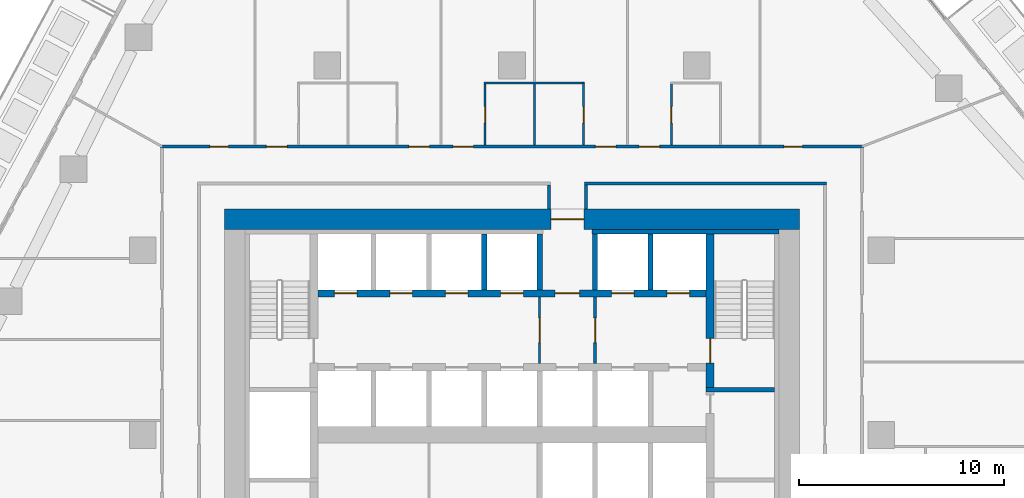
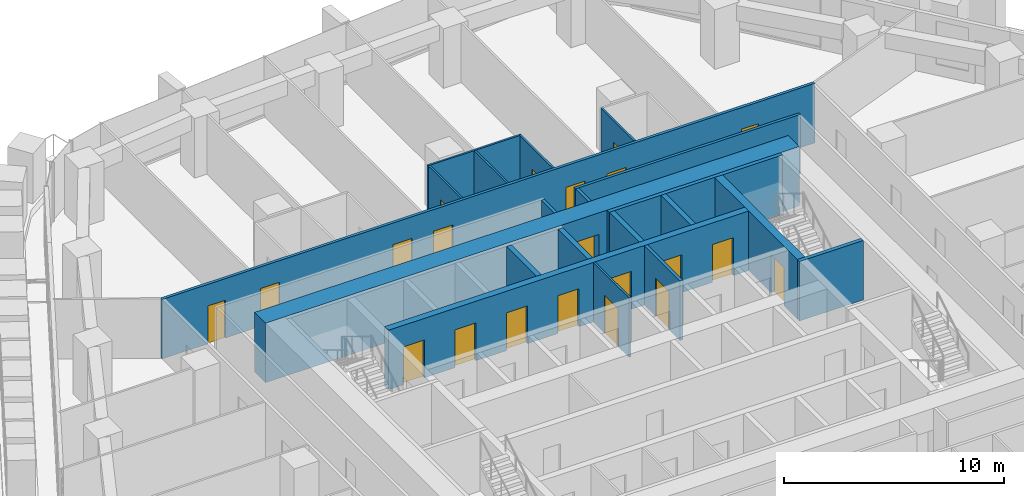
# One storey, part 16 of 24: 21 doors, 20 walls, 21 openings.
"""IFC4 building model written with IfcOpenShell, lengths in metres."""

from ifc_helpers import new_model, si_unit, direction, frame, frame_2d, origin, place, context, subcontext, project, spatial, rectangle, extrude, material, layer, layer_set, type_object, element, fill, save


model = new_model("IFC4")

# Units and contexts
model_context = context("Model", 3, precision=1e-05, world=origin(), true_north=direction((0.0, 1.0)))
body_context = subcontext(model_context, "Body", "Model", "MODEL_VIEW")
ifc_project = project(units=[si_unit("LENGTHUNIT", "METRE"), si_unit("AREAUNIT", "SQUARE_METRE"), si_unit("VOLUMEUNIT", "CUBIC_METRE"), si_unit("PLANEANGLEUNIT", "RADIAN"), si_unit("MASSUNIT", "GRAM", prefix="KILO")], contexts=[model_context])

# Site, building, storey
site_placement = place(None, origin())
site = spatial("IfcSite", under=ifc_project, at=site_placement, CompositionType="ELEMENT")
building_placement = place(site_placement, origin())
building = spatial("IfcBuilding", under=site, at=building_placement, Name="Dongbaek Canopy Tower", CompositionType="ELEMENT")
storey_placement = place(building_placement, frame((0.0, 0.0, 124.800048828125)))
storey = spatial("IfcBuildingStorey", under=building, at=storey_placement, Name="L27", CompositionType="ELEMENT", Elevation=124.800048828125)

# Wall, openings, doors
ifc_material_1 = material(Name="Concrete C60/75", Category="concrete")
ifc_layer_1 = layer(ifc_material_1, 0.35009765625)
ifc_layer_set_1 = layer_set([ifc_layer_1], Name="Core lobby wall 350 Concrete C60/75")
wall_type_1 = type_object("IfcWallType", Name="Core lobby wall 350 Concrete C60/75", PredefinedType="SHEAR", material=ifc_layer_set_1)
wall_1_placement = place(storey_placement, frame((-9.449951171875, 6.89990234375, 0.0), z_axis=(0.0, 0.0, 1.0), x_axis=(1.0, 0.0, 0.0)))
wall_1 = element("IfcWall", 1, at=wall_1_placement, inside=storey, type_object=wall_type_1, Name="Core wall", PredefinedType="SHEAR", context=body_context, shape_type="SweptSolid", body=[
    extrude(rectangle(XDim=18.89990234375, YDim=0.35009765625, at=frame_2d((9.449951171875, 0.0))), origin(), (0.0, 0.0, 1.0), 3.300048828125),
])
opening_1_placement = place(wall_1_placement, frame((0.800048828125, 0.0, 0.0)))
opening_1 = element("IfcOpeningElement", 2, at=opening_1_placement, cuts=wall_1, Name="Opening L27-D044", PredefinedType="OPENING", context=body_context, shape_type="SweptSolid", body=[
    extrude(rectangle(XDim=1.10009765625, YDim=2.10009765625, at=frame_2d((0.550048828125, 1.050048828125))), frame((0.0, 0.18505859375, 0.0), z_axis=(0.0, -1.0, 0.0), x_axis=(1.0, 0.0, 0.0)), (0.0, 0.0, 1.0), 0.3701171875),
])
opening_2_placement = place(wall_1_placement, frame((3.5, 0.0, 0.0)))
opening_2 = element("IfcOpeningElement", 3, at=opening_2_placement, cuts=wall_1, Name="Opening L27-D045", PredefinedType="OPENING", context=body_context, shape_type="SweptSolid", body=[
    extrude(rectangle(XDim=1.10009765625, YDim=2.10009765625, at=frame_2d((0.550048828125, 1.050048828125))), frame((0.0, 0.18505859375, 0.0), z_axis=(0.0, -1.0, 0.0), x_axis=(1.0, 0.0, 0.0)), (0.0, 0.0, 1.0), 0.3701171875),
])
opening_3_placement = place(wall_1_placement, frame((6.199951171875, 0.0, 0.0)))
opening_3 = element("IfcOpeningElement", 4, at=opening_3_placement, cuts=wall_1, Name="Opening L27-D046", PredefinedType="OPENING", context=body_context, shape_type="SweptSolid", body=[
    extrude(rectangle(XDim=1.10009765625, YDim=2.10009765625, at=frame_2d((0.550048828125, 1.050048828125))), frame((0.0, 0.18505859375, 0.0), z_axis=(0.0, -1.0, 0.0), x_axis=(1.0, 0.0, 0.0)), (0.0, 0.0, 1.0), 0.3701171875),
])
opening_4_placement = place(wall_1_placement, frame((8.89990234375, 0.0, 0.0)))
opening_4 = element("IfcOpeningElement", 5, at=opening_4_placement, cuts=wall_1, Name="Opening L27-D047", PredefinedType="OPENING", context=body_context, shape_type="SweptSolid", body=[
    extrude(rectangle(XDim=1.10009765625, YDim=2.10009765625, at=frame_2d((0.550048828125, 1.050048828125))), frame((0.0, 0.18505859375, 0.0), z_axis=(0.0, -1.0, 0.0), x_axis=(1.0, 0.0, 0.0)), (0.0, 0.0, 1.0), 0.3701171875),
])
opening_5_placement = place(wall_1_placement, frame((11.550048828125, 0.0, 0.0)))
opening_5 = element("IfcOpeningElement", 6, at=opening_5_placement, cuts=wall_1, Name="Opening L27-D049", PredefinedType="OPENING", context=body_context, shape_type="SweptSolid", body=[
    extrude(rectangle(XDim=1.199951171875, YDim=2.10009765625, at=frame_2d((0.60009765625, 1.050048828125))), frame((0.0, 0.18505859375, 0.0), z_axis=(0.0, -1.0, 0.0), x_axis=(1.0, 0.0, 0.0)), (0.0, 0.0, 1.0), 0.3701171875),
])
opening_6_placement = place(wall_1_placement, frame((14.300048828125, 0.0, 0.0)))
opening_6 = element("IfcOpeningElement", 7, at=opening_6_placement, cuts=wall_1, Name="Opening L27-D050", PredefinedType="OPENING", context=body_context, shape_type="SweptSolid", body=[
    extrude(rectangle(XDim=1.10009765625, YDim=2.10009765625, at=frame_2d((0.550048828125, 1.050048828125))), frame((0.0, 0.18505859375, 0.0), z_axis=(0.0, -1.0, 0.0), x_axis=(1.0, 0.0, 0.0)), (0.0, 0.0, 1.0), 0.3701171875),
])
opening_7_placement = place(wall_1_placement, frame((17.0, 0.0, 0.0)))
opening_7 = element("IfcOpeningElement", 8, at=opening_7_placement, cuts=wall_1, Name="Opening L27-D051", PredefinedType="OPENING", context=body_context, shape_type="SweptSolid", body=[
    extrude(rectangle(XDim=1.10009765625, YDim=2.10009765625, at=frame_2d((0.550048828125, 1.050048828125))), frame((0.0, 0.18505859375, 0.0), z_axis=(0.0, -1.0, 0.0), x_axis=(1.0, 0.0, 0.0)), (0.0, 0.0, 1.0), 0.3701171875),
])
ifc_material_2 = material(Name="Steel", Category="steel")
door_type_1 = type_object("IfcDoorType", Name="Fire lobby door 1200 x 2100", OperationType="SINGLE_SWING_LEFT", PredefinedType="DOOR", material=ifc_material_2)
door_1_placement = place(opening_5_placement, origin())
door_1 = element("IfcDoor", 9, at=door_1_placement, inside=storey, type_object=door_type_1, Name="Door L27-D049", OperationType="SINGLE_SWING_LEFT", OverallHeight=2.10009765625, OverallWidth=1.199951171875, PredefinedType="DOOR", context=body_context, shape_type="SweptSolid", body=[
    extrude(rectangle(XDim=1.199951171875, YDim=2.10009765625, at=frame_2d((0.60009765625, 1.050048828125))), frame((0.0, 0.02490234375, 0.0), z_axis=(0.0, -1.0, 0.0), x_axis=(1.0, 0.0, 0.0)), (0.0, 0.0, 1.0), 0.050048828125),
])
fill(opening_5, door_1)
ifc_material_3 = material(Name="Stainless steel", Category="steel")
door_type_2 = type_object("IfcDoorType", Name="Lift landing door 1100 x 2100", OperationType="DOUBLE_DOOR_SLIDING", PredefinedType="DOOR", material=ifc_material_3)
door_2_placement = place(opening_1_placement, origin())
door_2 = element("IfcDoor", 10, at=door_2_placement, inside=storey, type_object=door_type_2, Name="Landing door LR1", OperationType="DOUBLE_DOOR_SLIDING", OverallHeight=2.10009765625, OverallWidth=1.10009765625, PredefinedType="DOOR", context=body_context, shape_type="SweptSolid", body=[
    extrude(rectangle(XDim=1.10009765625, YDim=2.10009765625, at=frame_2d((0.550048828125, 1.050048828125))), frame((0.0, 0.02490234375, 0.0), z_axis=(0.0, -1.0, 0.0), x_axis=(1.0, 0.0, 0.0)), (0.0, 0.0, 1.0), 0.050048828125),
])
fill(opening_1, door_2)
door_3_placement = place(opening_2_placement, origin())
door_3 = element("IfcDoor", 11, at=door_3_placement, inside=storey, type_object=door_type_2, Name="Landing door LR2", OperationType="DOUBLE_DOOR_SLIDING", OverallHeight=2.10009765625, OverallWidth=1.10009765625, PredefinedType="DOOR", context=body_context, shape_type="SweptSolid", body=[
    extrude(rectangle(XDim=1.10009765625, YDim=2.10009765625, at=frame_2d((0.550048828125, 1.050048828125))), frame((0.0, 0.02490234375, 0.0), z_axis=(0.0, -1.0, 0.0), x_axis=(1.0, 0.0, 0.0)), (0.0, 0.0, 1.0), 0.050048828125),
])
fill(opening_2, door_3)
door_4_placement = place(opening_3_placement, origin())
door_4 = element("IfcDoor", 12, at=door_4_placement, inside=storey, type_object=door_type_2, Name="Landing door LR3", OperationType="DOUBLE_DOOR_SLIDING", OverallHeight=2.10009765625, OverallWidth=1.10009765625, PredefinedType="DOOR", context=body_context, shape_type="SweptSolid", body=[
    extrude(rectangle(XDim=1.10009765625, YDim=2.10009765625, at=frame_2d((0.550048828125, 1.050048828125))), frame((0.0, 0.02490234375, 0.0), z_axis=(0.0, -1.0, 0.0), x_axis=(1.0, 0.0, 0.0)), (0.0, 0.0, 1.0), 0.050048828125),
])
fill(opening_3, door_4)
door_5_placement = place(opening_4_placement, origin())
door_5 = element("IfcDoor", 13, at=door_5_placement, inside=storey, type_object=door_type_2, Name="Landing door LR4", OperationType="DOUBLE_DOOR_SLIDING", OverallHeight=2.10009765625, OverallWidth=1.10009765625, PredefinedType="DOOR", context=body_context, shape_type="SweptSolid", body=[
    extrude(rectangle(XDim=1.10009765625, YDim=2.10009765625, at=frame_2d((0.550048828125, 1.050048828125))), frame((0.0, 0.02490234375, 0.0), z_axis=(0.0, -1.0, 0.0), x_axis=(1.0, 0.0, 0.0)), (0.0, 0.0, 1.0), 0.050048828125),
])
fill(opening_4, door_5)
door_6_placement = place(opening_6_placement, origin())
door_6 = element("IfcDoor", 14, at=door_6_placement, inside=storey, type_object=door_type_2, Name="Landing door FF1", OperationType="DOUBLE_DOOR_SLIDING", OverallHeight=2.10009765625, OverallWidth=1.10009765625, PredefinedType="DOOR", context=body_context, shape_type="SweptSolid", body=[
    extrude(rectangle(XDim=1.10009765625, YDim=2.10009765625, at=frame_2d((0.550048828125, 1.050048828125))), frame((0.0, 0.02490234375, 0.0), z_axis=(0.0, -1.0, 0.0), x_axis=(1.0, 0.0, 0.0)), (0.0, 0.0, 1.0), 0.050048828125),
])
fill(opening_6, door_6)
door_7_placement = place(opening_7_placement, origin())
door_7 = element("IfcDoor", 15, at=door_7_placement, inside=storey, type_object=door_type_2, Name="Landing door FF2", OperationType="DOUBLE_DOOR_SLIDING", OverallHeight=2.10009765625, OverallWidth=1.10009765625, PredefinedType="DOOR", context=body_context, shape_type="SweptSolid", body=[
    extrude(rectangle(XDim=1.10009765625, YDim=2.10009765625, at=frame_2d((0.550048828125, 1.050048828125))), frame((0.0, 0.02490234375, 0.0), z_axis=(0.0, -1.0, 0.0), x_axis=(1.0, 0.0, 0.0)), (0.0, 0.0, 1.0), 0.050048828125),
])
fill(opening_7, door_7)

# Wall, opening, door
ifc_material_4 = material(Name="Concrete C60/75", Category="concrete")
ifc_layer_2 = layer(ifc_material_4, 1.0)
ifc_layer_set_2 = layer_set([ifc_layer_2], Name="Core outer wall 1000 Concrete C60/75")
wall_type_2 = type_object("IfcWallType", Name="Core outer wall 1000 Concrete C60/75", PredefinedType="SHEAR", material=ifc_layer_set_2)
wall_2_placement = place(storey_placement, frame((-14.0, 10.5, 0.0), z_axis=(0.0, 0.0, 1.0), x_axis=(1.0, 0.0, 0.0)))
wall_2 = element("IfcWall", 16, at=wall_2_placement, inside=storey, type_object=wall_type_2, Name="Core wall", PredefinedType="SHEAR", context=body_context, shape_type="SweptSolid", body=[
    extrude(rectangle(XDim=28.0, YDim=1.0, at=frame_2d((14.0, 0.0))), origin(), (0.0, 0.0, 1.0), 3.300048828125),
])
opening_8_placement = place(wall_2_placement, frame((15.89990234375, 0.0, 0.0)))
opening_8 = element("IfcOpeningElement", 17, at=opening_8_placement, cuts=wall_2, Name="Opening L27-D048", PredefinedType="OPENING", context=body_context, shape_type="SweptSolid", body=[
    extrude(rectangle(XDim=1.60009765625, YDim=2.10009765625, at=frame_2d((0.800048828125, 1.050048828125))), frame((0.0, 0.510009765625, 0.0), z_axis=(0.0, -1.0, 0.0), x_axis=(1.0, 0.0, 0.0)), (0.0, 0.0, 1.0), 1.02001953125),
])
ifc_material_5 = material(Name="Steel", Category="steel")
door_type_3 = type_object("IfcDoorType", Name="Core exit door 1600 x 2100", OperationType="DOUBLE_DOOR_SINGLE_SWING", PredefinedType="DOOR", material=ifc_material_5)
door_8_placement = place(opening_8_placement, origin())
door_8 = element("IfcDoor", 18, at=door_8_placement, inside=storey, type_object=door_type_3, Name="Core exit door", OperationType="DOUBLE_DOOR_SINGLE_SWING", OverallHeight=2.10009765625, OverallWidth=1.60009765625, PredefinedType="DOOR", context=body_context, shape_type="SweptSolid", body=[
    extrude(rectangle(XDim=1.60009765625, YDim=2.10009765625, at=frame_2d((0.800048828125, 1.050048828125))), frame((0.0, 0.02490234375, 0.0), z_axis=(0.0, -1.0, 0.0), x_axis=(1.0, 0.0, 0.0)), (0.0, 0.0, 1.0), 0.050048828125),
])
fill(opening_8, door_8)

# Walls
ifc_material_6 = material(Name="Concrete C60/75", Category="concrete")
ifc_layer_3 = layer(ifc_material_6, 0.199951171875)
ifc_layer_set_3 = layer_set([ifc_layer_3], Name="Core wall lining 200 Concrete C60/75")
wall_type_3 = type_object("IfcWallType", Name="Core wall lining 200 Concrete C60/75", PredefinedType="SHEAR", material=ifc_layer_set_3)
wall_3_placement = place(storey_placement, frame((3.89990234375, 9.89990234375, 0.0), z_axis=(0.0, 0.0, 1.0), x_axis=(1.0, 0.0, 0.0)))
element("IfcWall", 19, at=wall_3_placement, inside=storey, type_object=wall_type_3, Name="Core wall lining", PredefinedType="SHEAR", context=body_context, shape_type="SweptSolid", body=[
    extrude(rectangle(XDim=9.10009765625, YDim=0.199951171875, at=frame_2d((4.550048828125, 0.0))), origin(), (0.0, 0.0, 1.0), 3.300048828125),
])
ifc_material_7 = material(Name="Gypsum board partition, steel stud, 2 x 15 mm fire board", Category="steel")
ifc_layer_4 = layer(ifc_material_7, 0.14990234375)
ifc_layer_set_4 = layer_set([ifc_layer_4], Name="Fire-rated partition 150 gypsum board")
wall_type_4 = type_object("IfcWallType", Name="Fire-rated partition 150 gypsum board", PredefinedType="PARTITIONING", material=ifc_layer_set_4)
wall_4_placement = place(storey_placement, frame((3.52490234375, 12.25, 0.0), z_axis=(0.0, 0.0, 1.0), x_axis=(1.0, 0.0, 0.0)))
element("IfcWall", 20, at=wall_4_placement, inside=storey, type_object=wall_type_4, Name="Corridor partition", PredefinedType="PARTITIONING", context=body_context, shape_type="SweptSolid", body=[
    extrude(rectangle(XDim=11.800048828125, YDim=0.14990234375, at=frame_2d((5.89990234375, 0.0))), origin(), (0.0, 0.0, 1.0), 3.300048828125),
])

# Wall, openings, doors
wall_5_placement = place(storey_placement, frame((-17.125, 14.050048828125, 0.0), z_axis=(0.0, 0.0, 1.0), x_axis=(1.0, 0.0, 0.0)))
wall_5 = element("IfcWall", 21, at=wall_5_placement, inside=storey, type_object=wall_type_4, Name="Corridor partition", PredefinedType="PARTITIONING", context=body_context, shape_type="SweptSolid", body=[
    extrude(rectangle(XDim=34.25, YDim=0.14990234375, at=frame_2d((17.125, 0.0))), origin(), (0.0, 0.0, 1.0), 3.300048828125),
])
opening_9_placement = place(wall_5_placement, frame((30.376708984375, 0.0, 0.0)))
opening_9 = element("IfcOpeningElement", 22, at=opening_9_placement, cuts=wall_5, Name="Opening L27-D026", PredefinedType="OPENING", context=body_context, shape_type="SweptSolid", body=[
    extrude(rectangle(XDim=0.89990234375, YDim=2.10009765625, at=frame_2d((0.449951171875, 1.050048828125))), frame((0.0, 0.0849609375, 0.0), z_axis=(0.0, -1.0, 0.0), x_axis=(1.0, 0.0, 0.0)), (0.0, 0.0, 1.0), 0.169921875),
])
opening_10_placement = place(wall_5_placement, frame((23.320556640625, 0.0, 0.0)))
opening_10 = element("IfcOpeningElement", 23, at=opening_10_placement, cuts=wall_5, Name="Opening L27-D028", PredefinedType="OPENING", context=body_context, shape_type="SweptSolid", body=[
    extrude(rectangle(XDim=1.0, YDim=2.10009765625, at=frame_2d((0.5, 1.050048828125))), frame((0.0, 0.0849609375, 0.0), z_axis=(0.0, -1.0, 0.0), x_axis=(1.0, 0.0, 0.0)), (0.0, 0.0, 1.0), 0.169921875),
])
opening_11_placement = place(wall_5_placement, frame((21.182861328125, 0.0, 0.0)))
opening_11 = element("IfcOpeningElement", 24, at=opening_11_placement, cuts=wall_5, Name="Opening L27-D030", PredefinedType="OPENING", context=body_context, shape_type="SweptSolid", body=[
    extrude(rectangle(XDim=1.0, YDim=2.10009765625, at=frame_2d((0.5, 1.050048828125))), frame((0.0, 0.0849609375, 0.0), z_axis=(0.0, -1.0, 0.0), x_axis=(1.0, 0.0, 0.0)), (0.0, 0.0, 1.0), 0.169921875),
])
opening_12_placement = place(wall_5_placement, frame((14.240966796875, 0.0, 0.0)))
opening_12 = element("IfcOpeningElement", 25, at=opening_12_placement, cuts=wall_5, Name="Opening L27-D032", PredefinedType="OPENING", context=body_context, shape_type="SweptSolid", body=[
    extrude(rectangle(XDim=1.0, YDim=2.10009765625, at=frame_2d((0.5, 1.050048828125))), frame((0.0, 0.0849609375, 0.0), z_axis=(0.0, -1.0, 0.0), x_axis=(1.0, 0.0, 0.0)), (0.0, 0.0, 1.0), 0.169921875),
])
opening_13_placement = place(wall_5_placement, frame((12.09912109375, 0.0, 0.0)))
opening_13 = element("IfcOpeningElement", 26, at=opening_13_placement, cuts=wall_5, Name="Opening L27-D034", PredefinedType="OPENING", context=body_context, shape_type="SweptSolid", body=[
    extrude(rectangle(XDim=1.0, YDim=2.10009765625, at=frame_2d((0.5, 1.050048828125))), frame((0.0, 0.0849609375, 0.0), z_axis=(0.0, -1.0, 0.0), x_axis=(1.0, 0.0, 0.0)), (0.0, 0.0, 1.0), 0.169921875),
])
opening_14_placement = place(wall_5_placement, frame((5.161376953125, 0.0, 0.0)))
opening_14 = element("IfcOpeningElement", 27, at=opening_14_placement, cuts=wall_5, Name="Opening L27-D036", PredefinedType="OPENING", context=body_context, shape_type="SweptSolid", body=[
    extrude(rectangle(XDim=1.0, YDim=2.10009765625, at=frame_2d((0.5, 1.050048828125))), frame((0.0, 0.0849609375, 0.0), z_axis=(0.0, -1.0, 0.0), x_axis=(1.0, 0.0, 0.0)), (0.0, 0.0, 1.0), 0.169921875),
])
opening_15_placement = place(wall_5_placement, frame((2.406494140625, 0.0, 0.0)))
opening_15 = element("IfcOpeningElement", 28, at=opening_15_placement, cuts=wall_5, Name="Opening L27-D037", PredefinedType="OPENING", context=body_context, shape_type="SweptSolid", body=[
    extrude(rectangle(XDim=0.89990234375, YDim=2.10009765625, at=frame_2d((0.449951171875, 1.050048828125))), frame((0.0, 0.0849609375, 0.0), z_axis=(0.0, -1.0, 0.0), x_axis=(1.0, 0.0, 0.0)), (0.0, 0.0, 1.0), 0.169921875),
])
ifc_material_8 = material(Name="Timber veneered door leaf", Category="wood")
door_type_4 = type_object("IfcDoorType", Name="Guest room door 1000 x 2100", OperationType="SINGLE_SWING_LEFT", PredefinedType="DOOR", material=ifc_material_8)
door_9_placement = place(opening_10_placement, origin())
door_9 = element("IfcDoor", 29, at=door_9_placement, inside=storey, type_object=door_type_4, Name="Door L27-D028", OperationType="SINGLE_SWING_RIGHT", OverallHeight=2.10009765625, OverallWidth=1.0, PredefinedType="DOOR", context=body_context, shape_type="SweptSolid", body=[
    extrude(rectangle(XDim=1.0, YDim=2.10009765625, at=frame_2d((0.5, 1.050048828125))), frame((0.0, 0.02490234375, 0.0), z_axis=(0.0, -1.0, 0.0), x_axis=(1.0, 0.0, 0.0)), (0.0, 0.0, 1.0), 0.050048828125),
])
fill(opening_10, door_9)
door_10_placement = place(opening_11_placement, origin())
door_10 = element("IfcDoor", 30, at=door_10_placement, inside=storey, type_object=door_type_4, Name="Door L27-D030", OperationType="SINGLE_SWING_LEFT", OverallHeight=2.10009765625, OverallWidth=1.0, PredefinedType="DOOR", context=body_context, shape_type="SweptSolid", body=[
    extrude(rectangle(XDim=1.0, YDim=2.10009765625, at=frame_2d((0.5, 1.050048828125))), frame((0.0, 0.02490234375, 0.0), z_axis=(0.0, -1.0, 0.0), x_axis=(1.0, 0.0, 0.0)), (0.0, 0.0, 1.0), 0.050048828125),
])
fill(opening_11, door_10)
door_11_placement = place(opening_12_placement, origin())
door_11 = element("IfcDoor", 31, at=door_11_placement, inside=storey, type_object=door_type_4, Name="Door L27-D032", OperationType="SINGLE_SWING_RIGHT", OverallHeight=2.10009765625, OverallWidth=1.0, PredefinedType="DOOR", context=body_context, shape_type="SweptSolid", body=[
    extrude(rectangle(XDim=1.0, YDim=2.10009765625, at=frame_2d((0.5, 1.050048828125))), frame((0.0, 0.02490234375, 0.0), z_axis=(0.0, -1.0, 0.0), x_axis=(1.0, 0.0, 0.0)), (0.0, 0.0, 1.0), 0.050048828125),
])
fill(opening_12, door_11)
door_12_placement = place(opening_13_placement, origin())
door_12 = element("IfcDoor", 32, at=door_12_placement, inside=storey, type_object=door_type_4, Name="Door L27-D034", OperationType="SINGLE_SWING_LEFT", OverallHeight=2.10009765625, OverallWidth=1.0, PredefinedType="DOOR", context=body_context, shape_type="SweptSolid", body=[
    extrude(rectangle(XDim=1.0, YDim=2.10009765625, at=frame_2d((0.5, 1.050048828125))), frame((0.0, 0.02490234375, 0.0), z_axis=(0.0, -1.0, 0.0), x_axis=(1.0, 0.0, 0.0)), (0.0, 0.0, 1.0), 0.050048828125),
])
fill(opening_13, door_12)
door_13_placement = place(opening_14_placement, origin())
door_13 = element("IfcDoor", 33, at=door_13_placement, inside=storey, type_object=door_type_4, Name="Door L27-D036", OperationType="SINGLE_SWING_RIGHT", OverallHeight=2.10009765625, OverallWidth=1.0, PredefinedType="DOOR", context=body_context, shape_type="SweptSolid", body=[
    extrude(rectangle(XDim=1.0, YDim=2.10009765625, at=frame_2d((0.5, 1.050048828125))), frame((0.0, 0.02490234375, 0.0), z_axis=(0.0, -1.0, 0.0), x_axis=(1.0, 0.0, 0.0)), (0.0, 0.0, 1.0), 0.050048828125),
])
fill(opening_14, door_13)
ifc_material_9 = material(Name="Timber veneered door leaf", Category="wood")
door_type_5 = type_object("IfcDoorType", Name="Room door 900 x 2100", OperationType="SINGLE_SWING_LEFT", PredefinedType="DOOR", material=ifc_material_9)
door_14_placement = place(opening_9_placement, origin())
door_14 = element("IfcDoor", 34, at=door_14_placement, inside=storey, type_object=door_type_5, Name="Door L27-D026", OperationType="SINGLE_SWING_LEFT", OverallHeight=2.10009765625, OverallWidth=0.89990234375, PredefinedType="DOOR", context=body_context, shape_type="SweptSolid", body=[
    extrude(rectangle(XDim=0.89990234375, YDim=2.10009765625, at=frame_2d((0.449951171875, 1.050048828125))), frame((0.0, 0.02490234375, 0.0), z_axis=(0.0, -1.0, 0.0), x_axis=(1.0, 0.0, 0.0)), (0.0, 0.0, 1.0), 0.050048828125),
])
fill(opening_9, door_14)
door_15_placement = place(opening_15_placement, origin())
door_15 = element("IfcDoor", 35, at=door_15_placement, inside=storey, type_object=door_type_5, Name="Door L27-D037", OperationType="SINGLE_SWING_LEFT", OverallHeight=2.10009765625, OverallWidth=0.89990234375, PredefinedType="DOOR", context=body_context, shape_type="SweptSolid", body=[
    extrude(rectangle(XDim=0.89990234375, YDim=2.10009765625, at=frame_2d((0.449951171875, 1.050048828125))), frame((0.0, 0.02490234375, 0.0), z_axis=(0.0, -1.0, 0.0), x_axis=(1.0, 0.0, 0.0)), (0.0, 0.0, 1.0), 0.050048828125),
])
fill(opening_15, door_15)

# Walls
for number, where, z_axis, x_axis, name in (
    (36, (3.60009765625, 11.0, 0.0), (0.0, 0.0, 1.0), (0.0, 1.0, 0.0), "Corridor partition"),
    (37, (1.800048828125, 11.0, 0.0), (0.0, 0.0, 1.0), (0.0, 1.0, 0.0), "Corridor partition"),
):
    element("IfcWall", number, at=place(storey_placement, frame(where, z_axis=z_axis, x_axis=x_axis)), inside=storey, type_object=wall_type_4, Name=name, PredefinedType="PARTITIONING", context=body_context, shape_type="SweptSolid", body=[
        extrude(rectangle(XDim=1.175048828125, YDim=0.14990234375, at=frame_2d((0.58740234375, 0.0))), origin(), (0.0, 0.0, 1.0), 3.300048828125),
    ])

# Wall, opening, door
wall_6_placement = place(storey_placement, frame((4.050048828125, 6.72509765625, 0.0), z_axis=(0.0, 0.0, 1.0), x_axis=(0.0, -1.0, 0.0)))
wall_6 = element("IfcWall", 38, at=wall_6_placement, inside=storey, type_object=wall_type_4, Name="Fire lobby partition", PredefinedType="PARTITIONING", context=body_context, shape_type="SweptSolid", body=[
    extrude(rectangle(XDim=3.25, YDim=0.14990234375, at=frame_2d((1.625, 0.0))), origin(), (0.0, 0.0, 1.0), 3.300048828125),
])
opening_16_placement = place(wall_6_placement, frame((1.02490234375, 0.0, 0.0)))
opening_16 = element("IfcOpeningElement", 39, at=opening_16_placement, cuts=wall_6, Name="Opening L27-D073", PredefinedType="OPENING", context=body_context, shape_type="SweptSolid", body=[
    extrude(rectangle(XDim=1.199951171875, YDim=2.10009765625, at=frame_2d((0.60009765625, 1.050048828125))), frame((0.0, 0.0849609375, 0.0), z_axis=(0.0, -1.0, 0.0), x_axis=(1.0, 0.0, 0.0)), (0.0, 0.0, 1.0), 0.169921875),
])
door_16_placement = place(opening_16_placement, origin())
door_16 = element("IfcDoor", 40, at=door_16_placement, inside=storey, type_object=door_type_1, Name="Door L27-D073", OperationType="SINGLE_SWING_RIGHT", OverallHeight=2.10009765625, OverallWidth=1.199951171875, PredefinedType="DOOR", context=body_context, shape_type="SweptSolid", body=[
    extrude(rectangle(XDim=1.199951171875, YDim=2.10009765625, at=frame_2d((0.60009765625, 1.050048828125))), frame((0.0, 0.02490234375, 0.0), z_axis=(0.0, -1.0, 0.0), x_axis=(1.0, 0.0, 0.0)), (0.0, 0.0, 1.0), 0.050048828125),
])
fill(opening_16, door_16)

# Walls
ifc_material_10 = material(Name="Concrete C40/50", Category="concrete")
ifc_layer_5 = layer(ifc_material_10, 0.25)
ifc_layer_set_5 = layer_set([ifc_layer_5], Name="Lift shaft wall 250 Concrete C40/50")
wall_type_5 = type_object("IfcWallType", Name="Lift shaft wall 250 Concrete C40/50", PredefinedType="SOLIDWALL", material=ifc_layer_set_5)
for number, where, z_axis, x_axis, name in (
    (41, (6.75, 7.074951171875, 0.0), (0.0, 0.0, 1.0), (0.0, 1.0, 0.0), "Lift shaft wall"),
    (42, (4.050048828125, 7.074951171875, 0.0), (0.0, 0.0, 1.0), (0.0, 1.0, 0.0), "Lift shaft wall"),
    (43, (1.35009765625, 7.074951171875, 0.0), (0.0, 0.0, 1.0), (0.0, 1.0, 0.0), "Lift shaft wall"),
    (44, (-1.35009765625, 7.074951171875, 0.0), (0.0, 0.0, 1.0), (0.0, 1.0, 0.0), "Lift shaft wall"),
):
    element("IfcWall", number, at=place(storey_placement, frame(where, z_axis=z_axis, x_axis=x_axis)), inside=storey, type_object=wall_type_5, Name=name, PredefinedType="SOLIDWALL", context=body_context, shape_type="SweptSolid", body=[
        extrude(rectangle(XDim=2.72509765625, YDim=0.25, at=frame_2d((1.362548828125, 0.0))), origin(), (0.0, 0.0, 1.0), 3.300048828125),
    ])
ifc_material_11 = material(Name="Gypsum board partition, steel stud, 2 x 12.5 mm board", Category="steel")
ifc_layer_6 = layer(ifc_material_11, 0.10009765625)
ifc_layer_set_6 = layer_set([ifc_layer_6], Name="Partition 100 gypsum board")
wall_type_6 = type_object("IfcWallType", Name="Partition 100 gypsum board", PredefinedType="PARTITIONING", material=ifc_layer_set_6)
wall_7_placement = place(storey_placement, frame((-1.363037109375, 17.14990234375, 0.0), z_axis=(0.0, 0.0, 1.0), x_axis=(1.0, 0.0, 0.0)))
element("IfcWall", 45, at=wall_7_placement, inside=storey, type_object=wall_type_6, Name="Partition", PredefinedType="PARTITIONING", context=body_context, shape_type="SweptSolid", body=[
    extrude(rectangle(XDim=4.89990234375, YDim=0.10009765625, at=frame_2d((2.449951171875, 0.0))), origin(), (0.0, 0.0, 1.0), 3.300048828125),
])

# Wall, opening, door
wall_8_placement = place(storey_placement, frame((7.761962890625, 17.14990234375, 0.0), z_axis=(0.0, 0.0, 1.0), x_axis=(0.0, -1.0, 0.0)))
wall_8 = element("IfcWall", 46, at=wall_8_placement, inside=storey, type_object=wall_type_6, Name="Partition", PredefinedType="PARTITIONING", context=body_context, shape_type="SweptSolid", body=[
    extrude(rectangle(XDim=3.02490234375, YDim=0.10009765625, at=frame_2d((1.512451171875, 0.0))), origin(), (0.0, 0.0, 1.0), 3.300048828125),
])
opening_17_placement = place(wall_8_placement, frame((1.14990234375, 0.0, 0.0)))
opening_17 = element("IfcOpeningElement", 47, at=opening_17_placement, cuts=wall_8, Name="Opening L27-D027", PredefinedType="OPENING", context=body_context, shape_type="SweptSolid", body=[
    extrude(rectangle(XDim=0.800048828125, YDim=2.10009765625, at=frame_2d((0.39990234375, 1.050048828125))), frame((0.0, 0.06005859375, 0.0), z_axis=(0.0, -1.0, 0.0), x_axis=(1.0, 0.0, 0.0)), (0.0, 0.0, 1.0), 0.1201171875),
])
ifc_material_12 = material(Name="Timber veneered door leaf", Category="wood")
door_type_6 = type_object("IfcDoorType", Name="En-suite door 800 x 2100", OperationType="SINGLE_SWING_LEFT", PredefinedType="DOOR", material=ifc_material_12)
door_17_placement = place(opening_17_placement, origin())
door_17 = element("IfcDoor", 48, at=door_17_placement, inside=storey, type_object=door_type_6, Name="Door L27-D027", OperationType="SINGLE_SWING_LEFT", OverallHeight=2.10009765625, OverallWidth=0.800048828125, PredefinedType="DOOR", context=body_context, shape_type="SweptSolid", body=[
    extrude(rectangle(XDim=0.800048828125, YDim=2.10009765625, at=frame_2d((0.39990234375, 1.050048828125))), frame((0.0, 0.02490234375, 0.0), z_axis=(0.0, -1.0, 0.0), x_axis=(1.0, 0.0, 0.0)), (0.0, 0.0, 1.0), 0.050048828125),
])
fill(opening_17, door_17)

wall_9_placement = place(storey_placement, frame((3.487060546875, 14.125, 0.0), z_axis=(0.0, 0.0, 1.0), x_axis=(0.0, 1.0, 0.0)))
wall_9 = element("IfcWall", 49, at=wall_9_placement, inside=storey, type_object=wall_type_6, Name="Partition", PredefinedType="PARTITIONING", context=body_context, shape_type="SweptSolid", body=[
    extrude(rectangle(XDim=3.02490234375, YDim=0.10009765625, at=frame_2d((1.512451171875, 0.0))), origin(), (0.0, 0.0, 1.0), 3.300048828125),
])
opening_18_placement = place(wall_9_placement, frame((1.074951171875, 0.0, 0.0)))
opening_18 = element("IfcOpeningElement", 50, at=opening_18_placement, cuts=wall_9, Name="Opening L27-D029", PredefinedType="OPENING", context=body_context, shape_type="SweptSolid", body=[
    extrude(rectangle(XDim=0.800048828125, YDim=2.10009765625, at=frame_2d((0.39990234375, 1.050048828125))), frame((0.0, 0.06005859375, 0.0), z_axis=(0.0, -1.0, 0.0), x_axis=(1.0, 0.0, 0.0)), (0.0, 0.0, 1.0), 0.1201171875),
])
door_18_placement = place(opening_18_placement, origin())
door_18 = element("IfcDoor", 51, at=door_18_placement, inside=storey, type_object=door_type_6, Name="Door L27-D029", OperationType="SINGLE_SWING_RIGHT", OverallHeight=2.10009765625, OverallWidth=0.800048828125, PredefinedType="DOOR", context=body_context, shape_type="SweptSolid", body=[
    extrude(rectangle(XDim=0.800048828125, YDim=2.10009765625, at=frame_2d((0.39990234375, 1.050048828125))), frame((0.0, 0.02490234375, 0.0), z_axis=(0.0, -1.0, 0.0), x_axis=(1.0, 0.0, 0.0)), (0.0, 0.0, 1.0), 0.050048828125),
])
fill(opening_18, door_18)

# Wall
wall_10_placement = place(storey_placement, frame((1.0869140625, 14.125, 0.0), z_axis=(0.0, 0.0, 1.0), x_axis=(0.0, 1.0, 0.0)))
element("IfcWall", 52, at=wall_10_placement, inside=storey, type_object=wall_type_6, Name="Partition", PredefinedType="PARTITIONING", context=body_context, shape_type="SweptSolid", body=[
    extrude(rectangle(XDim=2.97509765625, YDim=0.10009765625, at=frame_2d((1.487548828125, 0.0))), origin(), (0.0, 0.0, 1.0), 3.300048828125),
])

# Wall, opening, door
wall_11_placement = place(storey_placement, frame((-1.31298828125, 17.10009765625, 0.0), z_axis=(0.0, 0.0, 1.0), x_axis=(0.0, -1.0, 0.0)))
wall_11 = element("IfcWall", 53, at=wall_11_placement, inside=storey, type_object=wall_type_6, Name="Partition", PredefinedType="PARTITIONING", context=body_context, shape_type="SweptSolid", body=[
    extrude(rectangle(XDim=2.97509765625, YDim=0.10009765625, at=frame_2d((1.487548828125, 0.0))), origin(), (0.0, 0.0, 1.0), 3.300048828125),
])
opening_19_placement = place(wall_11_placement, frame((1.10009765625, 0.0, 0.0)))
opening_19 = element("IfcOpeningElement", 54, at=opening_19_placement, cuts=wall_11, Name="Opening L27-D031", PredefinedType="OPENING", context=body_context, shape_type="SweptSolid", body=[
    extrude(rectangle(XDim=0.800048828125, YDim=2.10009765625, at=frame_2d((0.39990234375, 1.050048828125))), frame((0.0, 0.06005859375, 0.0), z_axis=(0.0, -1.0, 0.0), x_axis=(1.0, 0.0, 0.0)), (0.0, 0.0, 1.0), 0.1201171875),
])
door_19_placement = place(opening_19_placement, origin())
door_19 = element("IfcDoor", 55, at=door_19_placement, inside=storey, type_object=door_type_6, Name="Door L27-D031", OperationType="SINGLE_SWING_LEFT", OverallHeight=2.10009765625, OverallWidth=0.800048828125, PredefinedType="DOOR", context=body_context, shape_type="SweptSolid", body=[
    extrude(rectangle(XDim=0.800048828125, YDim=2.10009765625, at=frame_2d((0.39990234375, 1.050048828125))), frame((0.0, 0.02490234375, 0.0), z_axis=(0.0, -1.0, 0.0), x_axis=(1.0, 0.0, 0.0)), (0.0, 0.0, 1.0), 0.050048828125),
])
fill(opening_19, door_19)

wall_12_placement = place(storey_placement, frame((1.35009765625, 6.72509765625, 0.0), z_axis=(0.0, 0.0, 1.0), x_axis=(0.0, -1.0, 0.0)))
wall_12 = element("IfcWall", 56, at=wall_12_placement, inside=storey, type_object=wall_type_6, Name="Core partition", PredefinedType="PARTITIONING", context=body_context, shape_type="SweptSolid", body=[
    extrude(rectangle(XDim=3.25, YDim=0.10009765625, at=frame_2d((1.625, 0.0))), origin(), (0.0, 0.0, 1.0), 3.300048828125),
])
opening_20_placement = place(wall_12_placement, frame((1.02490234375, 0.0, 0.0)))
opening_20 = element("IfcOpeningElement", 57, at=opening_20_placement, cuts=wall_12, Name="Opening L27-D072", PredefinedType="OPENING", context=body_context, shape_type="SweptSolid", body=[
    extrude(rectangle(XDim=1.199951171875, YDim=2.10009765625, at=frame_2d((0.60009765625, 1.050048828125))), frame((0.0, 0.06005859375, 0.0), z_axis=(0.0, -1.0, 0.0), x_axis=(1.0, 0.0, 0.0)), (0.0, 0.0, 1.0), 0.1201171875),
])
door_20_placement = place(opening_20_placement, origin())
door_20 = element("IfcDoor", 58, at=door_20_placement, inside=storey, type_object=door_type_1, Name="Door L27-D072", OperationType="SINGLE_SWING_LEFT", OverallHeight=2.10009765625, OverallWidth=1.199951171875, PredefinedType="DOOR", context=body_context, shape_type="SweptSolid", body=[
    extrude(rectangle(XDim=1.199951171875, YDim=2.10009765625, at=frame_2d((0.60009765625, 1.050048828125))), frame((0.0, 0.02490234375, 0.0), z_axis=(0.0, -1.0, 0.0), x_axis=(1.0, 0.0, 0.0)), (0.0, 0.0, 1.0), 0.050048828125),
])
fill(opening_20, door_20)

# Wall
ifc_material_13 = material(Name="Concrete C60/75", Category="concrete")
ifc_layer_7 = layer(ifc_material_13, 0.199951171875)
ifc_layer_set_7 = layer_set([ifc_layer_7], Name="Riser wall 200 Concrete C60/75")
wall_type_7 = type_object("IfcWallType", Name="Riser wall 200 Concrete C60/75", PredefinedType="SHEAR", material=ifc_layer_set_7)
wall_13_placement = place(storey_placement, frame((9.449951171875, 2.199951171875, 0.0), z_axis=(0.0, 0.0, 1.0), x_axis=(1.0, 0.0, 0.0)))
element("IfcWall", 59, at=wall_13_placement, inside=storey, type_object=wall_type_7, Name="Riser wall", PredefinedType="SHEAR", context=body_context, shape_type="SweptSolid", body=[
    extrude(rectangle(XDim=3.35009765625, YDim=0.199951171875, at=frame_2d((1.675048828125, 0.0))), origin(), (0.0, 0.0, 1.0), 3.300048828125),
])

# Wall, opening, door
ifc_material_14 = material(Name="Concrete C60/75", Category="concrete")
ifc_layer_8 = layer(ifc_material_14, 0.39990234375)
ifc_layer_set_8 = layer_set([ifc_layer_8], Name="Stair wall 400 Concrete C60/75")
wall_type_8 = type_object("IfcWallType", Name="Stair wall 400 Concrete C60/75", PredefinedType="SHEAR", material=ifc_layer_set_8)
wall_14_placement = place(storey_placement, frame((9.64990234375, 9.800048828125, 0.0), z_axis=(0.0, 0.0, 1.0), x_axis=(0.0, -1.0, 0.0)))
wall_14 = element("IfcWall", 60, at=wall_14_placement, inside=storey, type_object=wall_type_8, Name="Stair wall", PredefinedType="SHEAR", context=body_context, shape_type="SweptSolid", body=[
    extrude(rectangle(XDim=7.5, YDim=0.39990234375, at=frame_2d((3.75, 0.0))), origin(), (0.0, 0.0, 1.0), 3.300048828125),
])
opening_21_placement = place(wall_14_placement, frame((5.10009765625, 0.0, 0.0)))
opening_21 = element("IfcOpeningElement", 61, at=opening_21_placement, cuts=wall_14, Name="Opening L27-D068", PredefinedType="OPENING", context=body_context, shape_type="SweptSolid", body=[
    extrude(rectangle(XDim=1.199951171875, YDim=2.10009765625, at=frame_2d((0.60009765625, 1.050048828125))), frame((0.0, 0.2099609375, 0.0), z_axis=(0.0, -1.0, 0.0), x_axis=(1.0, 0.0, 0.0)), (0.0, 0.0, 1.0), 0.419921875),
])
ifc_material_15 = material(Name="Steel", Category="steel")
door_type_7 = type_object("IfcDoorType", Name="Stair door 1200 x 2100", OperationType="SINGLE_SWING_LEFT", PredefinedType="DOOR", material=ifc_material_15)
door_21_placement = place(opening_21_placement, origin())
door_21 = element("IfcDoor", 62, at=door_21_placement, inside=storey, type_object=door_type_7, Name="Stair A door", OperationType="SINGLE_SWING_LEFT", OverallHeight=2.10009765625, OverallWidth=1.199951171875, PredefinedType="DOOR", context=body_context, shape_type="SweptSolid", body=[
    extrude(rectangle(XDim=1.199951171875, YDim=2.10009765625, at=frame_2d((0.60009765625, 1.050048828125))), frame((0.0, 0.02490234375, 0.0), z_axis=(0.0, -1.0, 0.0), x_axis=(1.0, 0.0, 0.0)), (0.0, 0.0, 1.0), 0.050048828125),
])
fill(opening_21, door_21)

save(model, "model.ifc")
